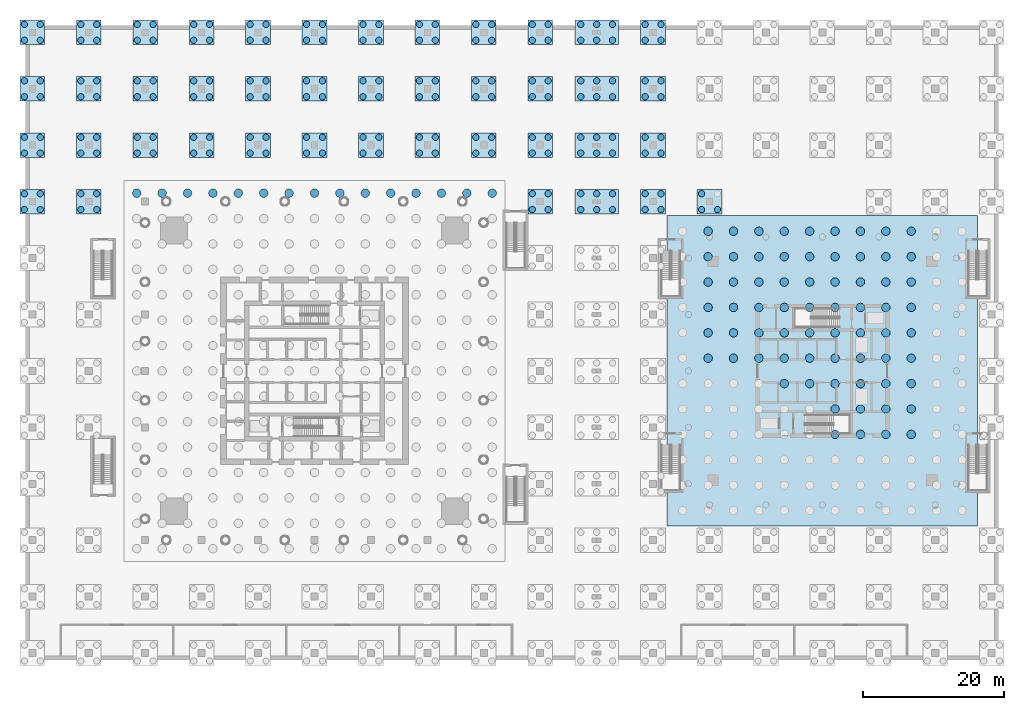
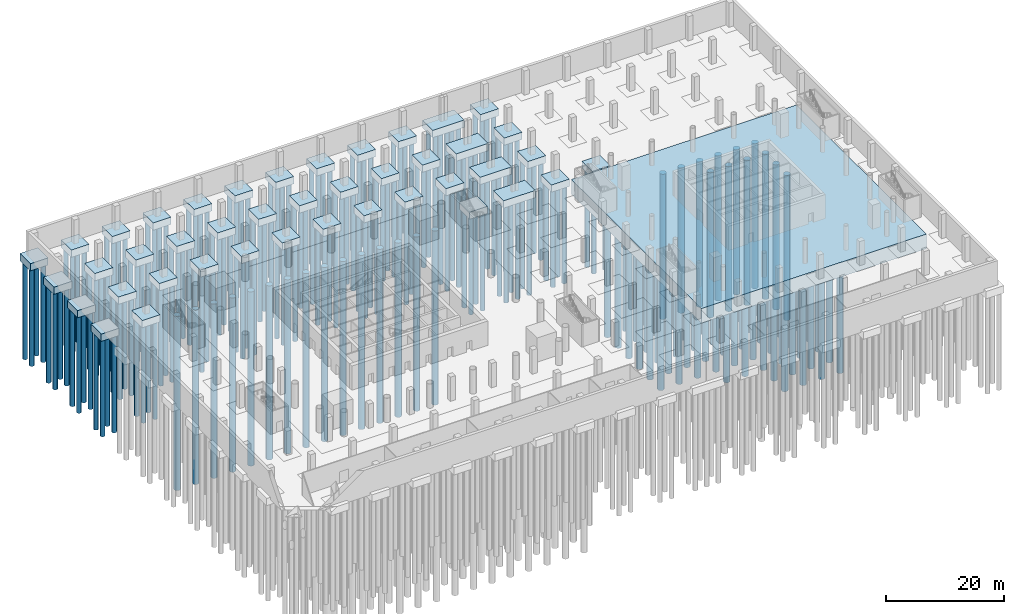
# One storey, part 3 of 24: 258 piles, 43 footings.
"""IFC4 building model written with IfcOpenShell, lengths in metres."""

import ifcopenshell
import ifcopenshell.guid

model = None  # the IFC model being written
_history = None  # IfcOwnerHistory: only IFC2X3 demands one
_inside = {}  # id of a spatial element -> (the spatial element, [elements in it])
_under = {}  # id of a project, library or spatial element -> (it, [spatial elements below it])
_declared = {}  # id of a project -> (the project, [libraries it declares])
_typed = {}  # id of a type object -> (the type object, [elements of that type])
_made_of = {}  # id of a material, layer set ... -> (it, [elements and type objects made of it])


def new_model(schema):
    """Start an empty IFC model of exactly this schema.

    Asked for "IFC4X3", IfcOpenShell would pick the latest addendum, in which some entities
    have other attributes; the version numbers below select the first issue.
    IFC2X3 requires an IfcOwnerHistory on every rooted entity: one is made here for all.
    """
    global model, _history
    if schema == "IFC4X3":
        model = ifcopenshell.file(schema_version=(4, 3, 0, 0))
    else:
        model = ifcopenshell.file(schema=schema)
    _inside.clear()
    _under.clear()
    _declared.clear()
    _typed.clear()
    _made_of.clear()
    _history = None
    if model.schema == "IFC2X3":
        org = make("IfcOrganization", Name="unknown")
        user = make(
            "IfcPersonAndOrganization",
            ThePerson=make("IfcPerson", FamilyName="unknown"),
            TheOrganization=org,
        )
        app = make(
            "IfcApplication",
            ApplicationDeveloper=org,
            Version="unknown",
            ApplicationFullName="unknown",
            ApplicationIdentifier="unknown",
        )
        _history = make(
            "IfcOwnerHistory",
            OwningUser=user,
            OwningApplication=app,
            ChangeAction="ADDED",
            CreationDate=0,
        )
    return model


def make(cls, **values):
    """One entity of the class cls with the attributes given. An attribute that is None is left unset."""
    return model.create_entity(
        cls, **{name: value for name, value in values.items() if value is not None}
    )


def rooted(cls, **values):
    """An entity with a GlobalId (a new one), such as an element, a storey or a relation."""
    return make(cls, GlobalId=ifcopenshell.guid.new(), OwnerHistory=_history, **values)


def si_unit(unit_type, name, prefix=None):
    """IfcSIUnit, for example si_unit("LENGTHUNIT", "METRE", prefix="MILLI")."""
    return make("IfcSIUnit", UnitType=unit_type, Prefix=prefix, Name=name)


def assignment(units):
    """IfcUnitAssignment: the units of a project."""
    return None if units is None else make("IfcUnitAssignment", Units=units)


def point(xyz):
    """IfcCartesianPoint."""
    return None if xyz is None else make("IfcCartesianPoint", Coordinates=xyz)


def direction(xyz):
    """IfcDirection."""
    return None if xyz is None else make("IfcDirection", DirectionRatios=xyz)


def frame(location, z_axis=None, x_axis=None):
    """IfcAxis2Placement3D, a coordinate frame: its origin and axes. An axis left out is left unset."""
    return make(
        "IfcAxis2Placement3D",
        Location=point(location),
        Axis=direction(z_axis),
        RefDirection=direction(x_axis),
    )


def frame_2d(location, x_axis=None):
    """IfcAxis2Placement2D, a coordinate frame in the plane: its origin and x axis."""
    return make(
        "IfcAxis2Placement2D", Location=point(location), RefDirection=direction(x_axis)
    )


def origin():
    """The frame at (0, 0, 0) with its axes left unset."""
    return frame((0.0, 0.0, 0.0))


def origin_2d():
    """The frame at (0, 0) in the plane with its x axis left unset."""
    return frame_2d((0.0, 0.0))


def place(relative_to, where):
    """IfcLocalPlacement: puts the frame where relative to a parent placement (None: the world)."""
    return make(
        "IfcLocalPlacement", PlacementRelTo=relative_to, RelativePlacement=where
    )


def context(
    kind, dimensions, precision=None, world=None, true_north=None, identifier=None
):
    """IfcGeometricRepresentationContext, for example the 3D "Model" context."""
    return make(
        "IfcGeometricRepresentationContext",
        ContextIdentifier=identifier,
        ContextType=kind,
        CoordinateSpaceDimension=dimensions,
        Precision=precision,
        WorldCoordinateSystem=world,
        TrueNorth=true_north,
    )


def subcontext(parent, identifier, kind, view, scale=None):
    """IfcGeometricRepresentationSubContext, for example "Body" below "Model"."""
    return make(
        "IfcGeometricRepresentationSubContext",
        ContextIdentifier=identifier,
        ContextType=kind,
        ParentContext=parent,
        TargetScale=scale,
        TargetView=view,
    )


def project(units=None, contexts=None):
    """IfcProject with its units and contexts."""
    return rooted(
        "IfcProject",
        Name="project",
        RepresentationContexts=contexts,
        UnitsInContext=assignment(units),
    )


def spatial(cls, under=None, at=None, **own):
    """A site, building, storey or space (cls), placed at a placement, below another one or the project."""
    s = rooted(cls, ObjectPlacement=at, **own)
    if under is not None:
        _under.setdefault(under.id(), (under, []))[1].append(s)
    return s


def polyline(points):
    """IfcPolyline through the points."""
    return make("IfcPolyline", Points=[point(p) for p in points])


def profile(cls, at=None, kind="AREA", **sizes):
    """A parametric profile (cls). Its sizes go by their IFC names, for example OverallWidth=200.0."""
    return make(cls, ProfileType=kind, Position=at, **sizes)


def rectangle(**sizes):
    """IfcRectangleProfileDef."""
    return profile("IfcRectangleProfileDef", **sizes)


def circle(**sizes):
    """IfcCircleProfileDef."""
    return profile("IfcCircleProfileDef", **sizes)


def outline(outer, holes=None, kind="AREA"):
    """IfcArbitraryClosedProfileDef: a profile drawn as a closed curve; with holes, ...WithVoids."""
    if holes is None:
        return make("IfcArbitraryClosedProfileDef", ProfileType=kind, OuterCurve=outer)
    return make(
        "IfcArbitraryProfileDefWithVoids",
        ProfileType=kind,
        OuterCurve=outer,
        InnerCurves=holes,
    )


def extrude(swept, where, along, depth):
    """IfcExtrudedAreaSolid: the profile swept, set in the frame where, extruded along a direction by depth."""
    return make(
        "IfcExtrudedAreaSolid",
        SweptArea=swept,
        Position=where,
        ExtrudedDirection=direction(along),
        Depth=depth,
    )


def shape(context_of_items, identifier, shape_type, items):
    """IfcShapeRepresentation: the items that make up one representation, for example the "Body"."""
    return make(
        "IfcShapeRepresentation",
        ContextOfItems=context_of_items,
        RepresentationIdentifier=identifier,
        RepresentationType=shape_type,
        Items=items,
    )


def material(Name=None, Category=None):
    """IfcMaterial."""
    return make("IfcMaterial", Name=Name, Category=Category)


def layer(
    of_material, thickness, ventilated=None, Name=None, Category=None, Priority=None
):
    """IfcMaterialLayer: one layer of a wall or slab, of a material (None: an air gap)."""
    return make(
        "IfcMaterialLayer",
        Material=of_material,
        LayerThickness=thickness,
        IsVentilated=ventilated,
        Name=Name,
        Category=Category,
        Priority=Priority,
    )


def layer_set(layers, Name=None):
    """IfcMaterialLayerSet."""
    return make("IfcMaterialLayerSet", MaterialLayers=layers, LayerSetName=Name)


def made_of(thing, what):
    """Note that an element or type object is made of a material, layer set ...; save() writes the relation."""
    if what is not None:
        _made_of.setdefault(what.id(), (what, []))[1].append(thing)
    return thing


def type_object(cls, material=None, **own):
    """A type object (cls), such as IfcWallType, which elements share."""
    return made_of(rooted(cls, **own), material)


def element(
    cls,
    number,
    at=None,
    inside=None,
    cuts=None,
    type_object=None,
    material=None,
    context=None,
    identifier="Body",
    shape_type=None,
    held_by="IfcProductDefinitionShape",
    body=None,
    shapes=None,
    **own,
):
    """One element of the class cls, such as IfcWall. Its Tag is "e" and its number.

    at: its placement. inside: the storey or other place that contains it. cuts: it is an
    opening in that element (IfcRelVoidsElement). A single representation is given by context,
    identifier, shape_type and body (its items); several are given by shapes. held_by: the class
    of the entity that holds the representations. save() writes the other relations.
    """
    e = rooted(cls, Tag="e%d" % number, ObjectPlacement=at, **own)
    if body is not None:
        shapes = [shape(context, identifier, shape_type, body)]
    if shapes is not None:
        e.Representation = make(held_by, Representations=shapes)
    if inside is not None:
        _inside.setdefault(inside.id(), (inside, []))[1].append(e)
    if cuts is not None:
        rooted(
            "IfcRelVoidsElement", RelatingBuildingElement=cuts, RelatedOpeningElement=e
        )
    if type_object is not None:
        _typed.setdefault(type_object.id(), (type_object, []))[1].append(e)
    return made_of(e, material)


def aggregate(whole, parts):
    """IfcRelAggregates: a whole, such as a stair, and the parts it consists of."""
    return rooted("IfcRelAggregates", RelatingObject=whole, RelatedObjects=parts)


def save(model, path):
    """Write the relations noted so far, then the file.

    IfcRelAggregates (storeys below a building ...), IfcRelContainedInSpatialStructure (elements
    in a storey), IfcRelDefinesByType, IfcRelAssociatesMaterial and IfcRelDeclares: one each for
    every whole, place, type object, material and project.
    """
    for whole, parts in _under.values():
        aggregate(whole, parts)
    for where, things in _inside.values():
        rooted(
            "IfcRelContainedInSpatialStructure",
            RelatedElements=things,
            RelatingStructure=where,
        )
    for kind, things in _typed.values():
        rooted("IfcRelDefinesByType", RelatedObjects=things, RelatingType=kind)
    for what, things in _made_of.values():
        rooted("IfcRelAssociatesMaterial", RelatedObjects=things, RelatingMaterial=what)
    for by, libraries in _declared.values():
        rooted("IfcRelDeclares", RelatingContext=by, RelatedDefinitions=libraries)
    model.write(path)


model = new_model("IFC4")

# Units and contexts
model_context = context("Model", 3, precision=1e-05, world=origin(), true_north=direction((0.0, 1.0)))
body_context = subcontext(model_context, "Body", "Model", "MODEL_VIEW")
ifc_project = project(units=[si_unit("LENGTHUNIT", "METRE"), si_unit("AREAUNIT", "SQUARE_METRE"), si_unit("VOLUMEUNIT", "CUBIC_METRE"), si_unit("PLANEANGLEUNIT", "RADIAN"), si_unit("MASSUNIT", "GRAM", prefix="KILO")], contexts=[model_context])

# Site, building, storey
site_placement = place(None, origin())
site = spatial("IfcSite", under=ifc_project, at=site_placement, CompositionType="ELEMENT")
building_placement = place(site_placement, origin())
building = spatial("IfcBuilding", under=site, at=building_placement, Name="Ostroluk Exchange", CompositionType="ELEMENT")
storey_placement = place(building_placement, frame((0.0, 0.0, -10.0)))
storey = spatial("IfcBuildingStorey", under=building, at=storey_placement, Name="B2", CompositionType="ELEMENT", Elevation=-10.0)

# Piles
ifc_material_1 = material(Name="Concrete C30/37", Category="concrete")
pile_type_1 = type_object("IfcPileType", Name="Bored pile 1200 x 30 m", PredefinedType="BORED", material=ifc_material_1)
for number, where, z_axis, x_axis, name in (
    (1, (100.800048828125, 47.800048828125, -3.0), (0.0, 0.0, -1.0), (1.0, 0.0, 0.0), "Hotel tower raft pile 2.7"),
    (2, (100.800048828125, 51.39990234375, -3.0), (0.0, 0.0, -1.0), (1.0, 0.0, 0.0), "Hotel tower raft pile 2.8"),
    (3, (100.800048828125, 55.0, -3.0), (0.0, 0.0, -1.0), (1.0, 0.0, 0.0), "Hotel tower raft pile 2.9"),
    (4, (100.800048828125, 58.60009765625, -3.0), (0.0, 0.0, -1.0), (1.0, 0.0, 0.0), "Hotel tower raft pile 2.10"),
    (5, (100.800048828125, 62.199951171875, -3.0), (0.0, 0.0, -1.0), (1.0, 0.0, 0.0), "Hotel tower raft pile 2.11"),
    (6, (100.800048828125, 65.800048828125, -3.0), (0.0, 0.0, -1.0), (1.0, 0.0, 0.0), "Hotel tower raft pile 2.12"),
    (7, (104.39990234375, 47.800048828125, -3.0), (0.0, 0.0, -1.0), (1.0, 0.0, 0.0), "Hotel tower raft pile 3.7"),
    (8, (104.39990234375, 51.39990234375, -3.0), (0.0, 0.0, -1.0), (1.0, 0.0, 0.0), "Hotel tower raft pile 3.8"),
    (9, (104.39990234375, 55.0, -3.0), (0.0, 0.0, -1.0), (1.0, 0.0, 0.0), "Hotel tower raft pile 3.9"),
    (10, (104.39990234375, 58.60009765625, -3.0), (0.0, 0.0, -1.0), (1.0, 0.0, 0.0), "Hotel tower raft pile 3.10"),
    (11, (104.39990234375, 62.199951171875, -3.0), (0.0, 0.0, -1.0), (1.0, 0.0, 0.0), "Hotel tower raft pile 3.11"),
    (12, (104.39990234375, 65.800048828125, -3.0), (0.0, 0.0, -1.0), (1.0, 0.0, 0.0), "Hotel tower raft pile 3.12"),
    (13, (108.0, 47.800048828125, -3.0), (0.0, 0.0, -1.0), (1.0, 0.0, 0.0), "Hotel tower raft pile 4.7"),
    (14, (108.0, 51.39990234375, -3.0), (0.0, 0.0, -1.0), (1.0, 0.0, 0.0), "Hotel tower raft pile 4.8"),
    (15, (108.0, 55.0, -3.0), (0.0, 0.0, -1.0), (1.0, 0.0, 0.0), "Hotel tower raft pile 4.9"),
    (16, (108.0, 58.60009765625, -3.0), (0.0, 0.0, -1.0), (1.0, 0.0, 0.0), "Hotel tower raft pile 4.10"),
    (17, (108.0, 62.199951171875, -3.0), (0.0, 0.0, -1.0), (1.0, 0.0, 0.0), "Hotel tower raft pile 4.11"),
    (18, (108.0, 65.800048828125, -3.0), (0.0, 0.0, -1.0), (1.0, 0.0, 0.0), "Hotel tower raft pile 4.12"),
    (19, (111.60009765625, 44.199951171875, -3.0), (0.0, 0.0, -1.0), (1.0, 0.0, 0.0), "Hotel tower raft pile 5.6"),
    (20, (111.60009765625, 47.800048828125, -3.0), (0.0, 0.0, -1.0), (1.0, 0.0, 0.0), "Hotel tower raft pile 5.7"),
    (21, (111.60009765625, 51.39990234375, -3.0), (0.0, 0.0, -1.0), (1.0, 0.0, 0.0), "Hotel tower raft pile 5.8"),
    (22, (111.60009765625, 55.0, -3.0), (0.0, 0.0, -1.0), (1.0, 0.0, 0.0), "Hotel tower raft pile 5.9"),
    (23, (111.60009765625, 58.60009765625, -3.0), (0.0, 0.0, -1.0), (1.0, 0.0, 0.0), "Hotel tower raft pile 5.10"),
    (24, (111.60009765625, 62.199951171875, -3.0), (0.0, 0.0, -1.0), (1.0, 0.0, 0.0), "Hotel tower raft pile 5.11"),
    (25, (111.60009765625, 65.800048828125, -3.0), (0.0, 0.0, -1.0), (1.0, 0.0, 0.0), "Hotel tower raft pile 5.12"),
    (26, (115.199951171875, 44.199951171875, -3.0), (0.0, 0.0, -1.0), (1.0, 0.0, 0.0), "Hotel tower raft pile 6.6"),
    (27, (115.199951171875, 47.800048828125, -3.0), (0.0, 0.0, -1.0), (1.0, 0.0, 0.0), "Hotel tower raft pile 6.7"),
    (28, (115.199951171875, 51.39990234375, -3.0), (0.0, 0.0, -1.0), (1.0, 0.0, 0.0), "Hotel tower raft pile 6.8"),
    (29, (115.199951171875, 55.0, -3.0), (0.0, 0.0, -1.0), (1.0, 0.0, 0.0), "Hotel tower raft pile 6.9"),
    (30, (115.199951171875, 58.60009765625, -3.0), (0.0, 0.0, -1.0), (1.0, 0.0, 0.0), "Hotel tower raft pile 6.10"),
    (31, (115.199951171875, 62.199951171875, -3.0), (0.0, 0.0, -1.0), (1.0, 0.0, 0.0), "Hotel tower raft pile 6.11"),
    (32, (115.199951171875, 65.800048828125, -3.0), (0.0, 0.0, -1.0), (1.0, 0.0, 0.0), "Hotel tower raft pile 6.12"),
    (33, (118.800048828125, 37.0, -3.0), (0.0, 0.0, -1.0), (1.0, 0.0, 0.0), "Hotel tower raft pile 7.4"),
    (34, (118.800048828125, 40.60009765625, -3.0), (0.0, 0.0, -1.0), (1.0, 0.0, 0.0), "Hotel tower raft pile 7.5"),
    (35, (118.800048828125, 44.199951171875, -3.0), (0.0, 0.0, -1.0), (1.0, 0.0, 0.0), "Hotel tower raft pile 7.6"),
    (36, (118.800048828125, 47.800048828125, -3.0), (0.0, 0.0, -1.0), (1.0, 0.0, 0.0), "Hotel tower raft pile 7.7"),
    (37, (118.800048828125, 51.39990234375, -3.0), (0.0, 0.0, -1.0), (1.0, 0.0, 0.0), "Hotel tower raft pile 7.8"),
    (38, (118.800048828125, 55.0, -3.0), (0.0, 0.0, -1.0), (1.0, 0.0, 0.0), "Hotel tower raft pile 7.9"),
    (39, (118.800048828125, 58.60009765625, -3.0), (0.0, 0.0, -1.0), (1.0, 0.0, 0.0), "Hotel tower raft pile 7.10"),
    (40, (118.800048828125, 62.199951171875, -3.0), (0.0, 0.0, -1.0), (1.0, 0.0, 0.0), "Hotel tower raft pile 7.11"),
    (41, (118.800048828125, 65.800048828125, -3.0), (0.0, 0.0, -1.0), (1.0, 0.0, 0.0), "Hotel tower raft pile 7.12"),
    (42, (122.39990234375, 37.0, -3.0), (0.0, 0.0, -1.0), (1.0, 0.0, 0.0), "Hotel tower raft pile 8.4"),
    (43, (122.39990234375, 40.60009765625, -3.0), (0.0, 0.0, -1.0), (1.0, 0.0, 0.0), "Hotel tower raft pile 8.5"),
    (44, (122.39990234375, 44.199951171875, -3.0), (0.0, 0.0, -1.0), (1.0, 0.0, 0.0), "Hotel tower raft pile 8.6"),
    (45, (122.39990234375, 47.800048828125, -3.0), (0.0, 0.0, -1.0), (1.0, 0.0, 0.0), "Hotel tower raft pile 8.7"),
    (46, (122.39990234375, 51.39990234375, -3.0), (0.0, 0.0, -1.0), (1.0, 0.0, 0.0), "Hotel tower raft pile 8.8"),
    (47, (122.39990234375, 55.0, -3.0), (0.0, 0.0, -1.0), (1.0, 0.0, 0.0), "Hotel tower raft pile 8.9"),
    (48, (122.39990234375, 58.60009765625, -3.0), (0.0, 0.0, -1.0), (1.0, 0.0, 0.0), "Hotel tower raft pile 8.10"),
    (49, (122.39990234375, 62.199951171875, -3.0), (0.0, 0.0, -1.0), (1.0, 0.0, 0.0), "Hotel tower raft pile 8.11"),
    (50, (122.39990234375, 65.800048828125, -3.0), (0.0, 0.0, -1.0), (1.0, 0.0, 0.0), "Hotel tower raft pile 8.12"),
    (51, (126.0, 37.0, -3.0), (0.0, 0.0, -1.0), (1.0, 0.0, 0.0), "Hotel tower raft pile 9.4"),
    (52, (126.0, 40.60009765625, -3.0), (0.0, 0.0, -1.0), (1.0, 0.0, 0.0), "Hotel tower raft pile 9.5"),
    (53, (126.0, 44.199951171875, -3.0), (0.0, 0.0, -1.0), (1.0, 0.0, 0.0), "Hotel tower raft pile 9.6"),
    (54, (126.0, 47.800048828125, -3.0), (0.0, 0.0, -1.0), (1.0, 0.0, 0.0), "Hotel tower raft pile 9.7"),
    (55, (126.0, 51.39990234375, -3.0), (0.0, 0.0, -1.0), (1.0, 0.0, 0.0), "Hotel tower raft pile 9.8"),
    (56, (126.0, 55.0, -3.0), (0.0, 0.0, -1.0), (1.0, 0.0, 0.0), "Hotel tower raft pile 9.9"),
    (57, (126.0, 58.60009765625, -3.0), (0.0, 0.0, -1.0), (1.0, 0.0, 0.0), "Hotel tower raft pile 9.10"),
    (58, (126.0, 62.199951171875, -3.0), (0.0, 0.0, -1.0), (1.0, 0.0, 0.0), "Hotel tower raft pile 9.11"),
    (59, (126.0, 65.800048828125, -3.0), (0.0, 0.0, -1.0), (1.0, 0.0, 0.0), "Hotel tower raft pile 9.12"),
    (60, (129.60009765625, 37.0, -3.0), (0.0, 0.0, -1.0), (1.0, 0.0, 0.0), "Hotel tower raft pile 10.4"),
    (61, (129.60009765625, 40.60009765625, -3.0), (0.0, 0.0, -1.0), (1.0, 0.0, 0.0), "Hotel tower raft pile 10.5"),
    (62, (129.60009765625, 44.199951171875, -3.0), (0.0, 0.0, -1.0), (1.0, 0.0, 0.0), "Hotel tower raft pile 10.6"),
    (63, (129.60009765625, 47.800048828125, -3.0), (0.0, 0.0, -1.0), (1.0, 0.0, 0.0), "Hotel tower raft pile 10.7"),
    (64, (129.60009765625, 51.39990234375, -3.0), (0.0, 0.0, -1.0), (1.0, 0.0, 0.0), "Hotel tower raft pile 10.8"),
    (65, (129.60009765625, 55.0, -3.0), (0.0, 0.0, -1.0), (1.0, 0.0, 0.0), "Hotel tower raft pile 10.9"),
    (66, (129.60009765625, 58.60009765625, -3.0), (0.0, 0.0, -1.0), (1.0, 0.0, 0.0), "Hotel tower raft pile 10.10"),
    (67, (129.60009765625, 62.199951171875, -3.0), (0.0, 0.0, -1.0), (1.0, 0.0, 0.0), "Hotel tower raft pile 10.11"),
    (68, (129.60009765625, 65.800048828125, -3.0), (0.0, 0.0, -1.0), (1.0, 0.0, 0.0), "Hotel tower raft pile 10.12"),
):
    element("IfcPile", number, at=place(storey_placement, frame(where, z_axis=z_axis, x_axis=x_axis)), inside=storey, type_object=pile_type_1, Name=name, PredefinedType="BORED", context=body_context, shape_type="SweptSolid", body=[
        extrude(circle(Radius=0.60009765625, at=origin_2d()), origin(), (0.0, 0.0, 1.0), 30.0),
    ])
ifc_material_2 = material(Name="Concrete C30/37", Category="concrete")
pile_type_2 = type_object("IfcPileType", Name="Bored pile 1200 x 36 m", PredefinedType="BORED", material=ifc_material_2)
for number, where, z_axis, x_axis, name in (
    (69, (19.800048828125, 71.199951171875, -3.5), (0.0, 0.0, -1.0), (1.0, 0.0, 0.0), "Office tower raft pile 1.15"),
    (70, (23.39990234375, 71.199951171875, -3.5), (0.0, 0.0, -1.0), (1.0, 0.0, 0.0), "Office tower raft pile 2.15"),
    (71, (27.0, 71.199951171875, -3.5), (0.0, 0.0, -1.0), (1.0, 0.0, 0.0), "Office tower raft pile 3.15"),
    (72, (30.60009765625, 71.199951171875, -3.5), (0.0, 0.0, -1.0), (1.0, 0.0, 0.0), "Office tower raft pile 4.15"),
    (73, (34.199951171875, 71.199951171875, -3.5), (0.0, 0.0, -1.0), (1.0, 0.0, 0.0), "Office tower raft pile 5.15"),
    (74, (37.800048828125, 71.199951171875, -3.5), (0.0, 0.0, -1.0), (1.0, 0.0, 0.0), "Office tower raft pile 6.15"),
    (75, (41.39990234375, 71.199951171875, -3.5), (0.0, 0.0, -1.0), (1.0, 0.0, 0.0), "Office tower raft pile 7.15"),
    (76, (45.0, 71.199951171875, -3.5), (0.0, 0.0, -1.0), (1.0, 0.0, 0.0), "Office tower raft pile 8.15"),
    (77, (48.60009765625, 71.199951171875, -3.5), (0.0, 0.0, -1.0), (1.0, 0.0, 0.0), "Office tower raft pile 9.15"),
    (78, (52.199951171875, 71.199951171875, -3.5), (0.0, 0.0, -1.0), (1.0, 0.0, 0.0), "Office tower raft pile 10.15"),
    (79, (55.800048828125, 71.199951171875, -3.5), (0.0, 0.0, -1.0), (1.0, 0.0, 0.0), "Office tower raft pile 11.15"),
    (80, (59.39990234375, 71.199951171875, -3.5), (0.0, 0.0, -1.0), (1.0, 0.0, 0.0), "Office tower raft pile 12.15"),
    (81, (63.0, 71.199951171875, -3.5), (0.0, 0.0, -1.0), (1.0, 0.0, 0.0), "Office tower raft pile 13.15"),
    (82, (66.60009765625, 71.199951171875, -3.5), (0.0, 0.0, -1.0), (1.0, 0.0, 0.0), "Office tower raft pile 14.15"),
    (83, (70.199951171875, 71.199951171875, -3.5), (0.0, 0.0, -1.0), (1.0, 0.0, 0.0), "Office tower raft pile 15.15"),
):
    element("IfcPile", number, at=place(storey_placement, frame(where, z_axis=z_axis, x_axis=x_axis)), inside=storey, type_object=pile_type_2, Name=name, PredefinedType="BORED", context=body_context, shape_type="SweptSolid", body=[
        extrude(circle(Radius=0.60009765625, at=origin_2d()), origin(), (0.0, 0.0, 1.0), 36.0),
    ])
ifc_material_3 = material(Name="Concrete C30/37", Category="concrete")
pile_type_3 = type_object("IfcPileType", Name="Bored pile 900 x 20 m", PredefinedType="BORED", material=ifc_material_3)
for number, where, z_axis, x_axis, name in (
    (84, (3.875, 68.875, -1.5), (0.0, 0.0, -1.0), (1.0, 0.0, 0.0), "Pile 5/70 1"),
    (85, (6.125, 68.875, -1.5), (0.0, 0.0, -1.0), (1.0, 0.0, 0.0), "Pile 5/70 2"),
    (86, (6.125, 71.125, -1.5), (0.0, 0.0, -1.0), (1.0, 0.0, 0.0), "Pile 5/70 3"),
    (87, (3.875, 71.125, -1.5), (0.0, 0.0, -1.0), (1.0, 0.0, 0.0), "Pile 5/70 4"),
    (88, (3.875, 76.875, -1.5), (0.0, 0.0, -1.0), (1.0, 0.0, 0.0), "Pile 5/78 1"),
    (89, (6.125, 76.875, -1.5), (0.0, 0.0, -1.0), (1.0, 0.0, 0.0), "Pile 5/78 2"),
    (90, (6.125, 79.125, -1.5), (0.0, 0.0, -1.0), (1.0, 0.0, 0.0), "Pile 5/78 3"),
    (91, (3.875, 79.125, -1.5), (0.0, 0.0, -1.0), (1.0, 0.0, 0.0), "Pile 5/78 4"),
    (92, (3.875, 84.875, -1.5), (0.0, 0.0, -1.0), (1.0, 0.0, 0.0), "Pile 5/86 1"),
    (93, (6.125, 84.875, -1.5), (0.0, 0.0, -1.0), (1.0, 0.0, 0.0), "Pile 5/86 2"),
    (94, (6.125, 87.125, -1.5), (0.0, 0.0, -1.0), (1.0, 0.0, 0.0), "Pile 5/86 3"),
    (95, (3.875, 87.125, -1.5), (0.0, 0.0, -1.0), (1.0, 0.0, 0.0), "Pile 5/86 4"),
    (96, (3.875, 92.875, -1.5), (0.0, 0.0, -1.0), (1.0, 0.0, 0.0), "Pile 5/94 1"),
    (97, (6.125, 92.875, -1.5), (0.0, 0.0, -1.0), (1.0, 0.0, 0.0), "Pile 5/94 2"),
    (98, (6.125, 95.125, -1.5), (0.0, 0.0, -1.0), (1.0, 0.0, 0.0), "Pile 5/94 3"),
    (99, (3.875, 95.125, -1.5), (0.0, 0.0, -1.0), (1.0, 0.0, 0.0), "Pile 5/94 4"),
    (100, (11.875, 68.875, -1.5), (0.0, 0.0, -1.0), (1.0, 0.0, 0.0), "Pile 13/70 1"),
    (101, (14.125, 68.875, -1.5), (0.0, 0.0, -1.0), (1.0, 0.0, 0.0), "Pile 13/70 2"),
    (102, (14.125, 71.125, -1.5), (0.0, 0.0, -1.0), (1.0, 0.0, 0.0), "Pile 13/70 3"),
    (103, (11.875, 71.125, -1.5), (0.0, 0.0, -1.0), (1.0, 0.0, 0.0), "Pile 13/70 4"),
    (104, (11.875, 76.875, -1.5), (0.0, 0.0, -1.0), (1.0, 0.0, 0.0), "Pile 13/78 1"),
    (105, (14.125, 76.875, -1.5), (0.0, 0.0, -1.0), (1.0, 0.0, 0.0), "Pile 13/78 2"),
    (106, (14.125, 79.125, -1.5), (0.0, 0.0, -1.0), (1.0, 0.0, 0.0), "Pile 13/78 3"),
    (107, (11.875, 79.125, -1.5), (0.0, 0.0, -1.0), (1.0, 0.0, 0.0), "Pile 13/78 4"),
    (108, (11.875, 84.875, -1.5), (0.0, 0.0, -1.0), (1.0, 0.0, 0.0), "Pile 13/86 1"),
    (109, (14.125, 84.875, -1.5), (0.0, 0.0, -1.0), (1.0, 0.0, 0.0), "Pile 13/86 2"),
    (110, (14.125, 87.125, -1.5), (0.0, 0.0, -1.0), (1.0, 0.0, 0.0), "Pile 13/86 3"),
    (111, (11.875, 87.125, -1.5), (0.0, 0.0, -1.0), (1.0, 0.0, 0.0), "Pile 13/86 4"),
    (112, (11.875, 92.875, -1.5), (0.0, 0.0, -1.0), (1.0, 0.0, 0.0), "Pile 13/94 1"),
    (113, (14.125, 92.875, -1.5), (0.0, 0.0, -1.0), (1.0, 0.0, 0.0), "Pile 13/94 2"),
    (114, (14.125, 95.125, -1.5), (0.0, 0.0, -1.0), (1.0, 0.0, 0.0), "Pile 13/94 3"),
    (115, (11.875, 95.125, -1.5), (0.0, 0.0, -1.0), (1.0, 0.0, 0.0), "Pile 13/94 4"),
    (116, (19.875, 76.875, -1.5), (0.0, 0.0, -1.0), (1.0, 0.0, 0.0), "Pile 21/78 1"),
    (117, (22.125, 76.875, -1.5), (0.0, 0.0, -1.0), (1.0, 0.0, 0.0), "Pile 21/78 2"),
    (118, (22.125, 79.125, -1.5), (0.0, 0.0, -1.0), (1.0, 0.0, 0.0), "Pile 21/78 3"),
    (119, (19.875, 79.125, -1.5), (0.0, 0.0, -1.0), (1.0, 0.0, 0.0), "Pile 21/78 4"),
    (120, (19.875, 84.875, -1.5), (0.0, 0.0, -1.0), (1.0, 0.0, 0.0), "Pile 21/86 1"),
    (121, (22.125, 84.875, -1.5), (0.0, 0.0, -1.0), (1.0, 0.0, 0.0), "Pile 21/86 2"),
    (122, (22.125, 87.125, -1.5), (0.0, 0.0, -1.0), (1.0, 0.0, 0.0), "Pile 21/86 3"),
    (123, (19.875, 87.125, -1.5), (0.0, 0.0, -1.0), (1.0, 0.0, 0.0), "Pile 21/86 4"),
    (124, (19.875, 92.875, -1.5), (0.0, 0.0, -1.0), (1.0, 0.0, 0.0), "Pile 21/94 1"),
    (125, (22.125, 92.875, -1.5), (0.0, 0.0, -1.0), (1.0, 0.0, 0.0), "Pile 21/94 2"),
    (126, (22.125, 95.125, -1.5), (0.0, 0.0, -1.0), (1.0, 0.0, 0.0), "Pile 21/94 3"),
    (127, (19.875, 95.125, -1.5), (0.0, 0.0, -1.0), (1.0, 0.0, 0.0), "Pile 21/94 4"),
    (128, (27.875, 76.875, -1.5), (0.0, 0.0, -1.0), (1.0, 0.0, 0.0), "Pile 29/78 1"),
    (129, (30.125, 76.875, -1.5), (0.0, 0.0, -1.0), (1.0, 0.0, 0.0), "Pile 29/78 2"),
    (130, (30.125, 79.125, -1.5), (0.0, 0.0, -1.0), (1.0, 0.0, 0.0), "Pile 29/78 3"),
    (131, (27.875, 79.125, -1.5), (0.0, 0.0, -1.0), (1.0, 0.0, 0.0), "Pile 29/78 4"),
    (132, (27.875, 84.875, -1.5), (0.0, 0.0, -1.0), (1.0, 0.0, 0.0), "Pile 29/86 1"),
    (133, (30.125, 84.875, -1.5), (0.0, 0.0, -1.0), (1.0, 0.0, 0.0), "Pile 29/86 2"),
    (134, (30.125, 87.125, -1.5), (0.0, 0.0, -1.0), (1.0, 0.0, 0.0), "Pile 29/86 3"),
    (135, (27.875, 87.125, -1.5), (0.0, 0.0, -1.0), (1.0, 0.0, 0.0), "Pile 29/86 4"),
    (136, (27.875, 92.875, -1.5), (0.0, 0.0, -1.0), (1.0, 0.0, 0.0), "Pile 29/94 1"),
    (137, (30.125, 92.875, -1.5), (0.0, 0.0, -1.0), (1.0, 0.0, 0.0), "Pile 29/94 2"),
    (138, (30.125, 95.125, -1.5), (0.0, 0.0, -1.0), (1.0, 0.0, 0.0), "Pile 29/94 3"),
    (139, (27.875, 95.125, -1.5), (0.0, 0.0, -1.0), (1.0, 0.0, 0.0), "Pile 29/94 4"),
    (140, (35.875, 76.875, -1.5), (0.0, 0.0, -1.0), (1.0, 0.0, 0.0), "Pile 37/78 1"),
    (141, (38.125, 76.875, -1.5), (0.0, 0.0, -1.0), (1.0, 0.0, 0.0), "Pile 37/78 2"),
    (142, (38.125, 79.125, -1.5), (0.0, 0.0, -1.0), (1.0, 0.0, 0.0), "Pile 37/78 3"),
    (143, (35.875, 79.125, -1.5), (0.0, 0.0, -1.0), (1.0, 0.0, 0.0), "Pile 37/78 4"),
    (144, (35.875, 84.875, -1.5), (0.0, 0.0, -1.0), (1.0, 0.0, 0.0), "Pile 37/86 1"),
    (145, (38.125, 84.875, -1.5), (0.0, 0.0, -1.0), (1.0, 0.0, 0.0), "Pile 37/86 2"),
    (146, (38.125, 87.125, -1.5), (0.0, 0.0, -1.0), (1.0, 0.0, 0.0), "Pile 37/86 3"),
    (147, (35.875, 87.125, -1.5), (0.0, 0.0, -1.0), (1.0, 0.0, 0.0), "Pile 37/86 4"),
    (148, (35.875, 92.875, -1.5), (0.0, 0.0, -1.0), (1.0, 0.0, 0.0), "Pile 37/94 1"),
    (149, (38.125, 92.875, -1.5), (0.0, 0.0, -1.0), (1.0, 0.0, 0.0), "Pile 37/94 2"),
    (150, (38.125, 95.125, -1.5), (0.0, 0.0, -1.0), (1.0, 0.0, 0.0), "Pile 37/94 3"),
    (151, (35.875, 95.125, -1.5), (0.0, 0.0, -1.0), (1.0, 0.0, 0.0), "Pile 37/94 4"),
    (152, (43.875, 76.875, -1.5), (0.0, 0.0, -1.0), (1.0, 0.0, 0.0), "Pile 45/78 1"),
    (153, (46.125, 76.875, -1.5), (0.0, 0.0, -1.0), (1.0, 0.0, 0.0), "Pile 45/78 2"),
    (154, (46.125, 79.125, -1.5), (0.0, 0.0, -1.0), (1.0, 0.0, 0.0), "Pile 45/78 3"),
    (155, (43.875, 79.125, -1.5), (0.0, 0.0, -1.0), (1.0, 0.0, 0.0), "Pile 45/78 4"),
    (156, (43.875, 84.875, -1.5), (0.0, 0.0, -1.0), (1.0, 0.0, 0.0), "Pile 45/86 1"),
    (157, (46.125, 84.875, -1.5), (0.0, 0.0, -1.0), (1.0, 0.0, 0.0), "Pile 45/86 2"),
    (158, (46.125, 87.125, -1.5), (0.0, 0.0, -1.0), (1.0, 0.0, 0.0), "Pile 45/86 3"),
    (159, (43.875, 87.125, -1.5), (0.0, 0.0, -1.0), (1.0, 0.0, 0.0), "Pile 45/86 4"),
    (160, (43.875, 92.875, -1.5), (0.0, 0.0, -1.0), (1.0, 0.0, 0.0), "Pile 45/94 1"),
    (161, (46.125, 92.875, -1.5), (0.0, 0.0, -1.0), (1.0, 0.0, 0.0), "Pile 45/94 2"),
    (162, (46.125, 95.125, -1.5), (0.0, 0.0, -1.0), (1.0, 0.0, 0.0), "Pile 45/94 3"),
    (163, (43.875, 95.125, -1.5), (0.0, 0.0, -1.0), (1.0, 0.0, 0.0), "Pile 45/94 4"),
    (164, (51.875, 76.875, -1.5), (0.0, 0.0, -1.0), (1.0, 0.0, 0.0), "Pile 53/78 1"),
    (165, (54.125, 76.875, -1.5), (0.0, 0.0, -1.0), (1.0, 0.0, 0.0), "Pile 53/78 2"),
    (166, (54.125, 79.125, -1.5), (0.0, 0.0, -1.0), (1.0, 0.0, 0.0), "Pile 53/78 3"),
    (167, (51.875, 79.125, -1.5), (0.0, 0.0, -1.0), (1.0, 0.0, 0.0), "Pile 53/78 4"),
    (168, (51.875, 84.875, -1.5), (0.0, 0.0, -1.0), (1.0, 0.0, 0.0), "Pile 53/86 1"),
    (169, (54.125, 84.875, -1.5), (0.0, 0.0, -1.0), (1.0, 0.0, 0.0), "Pile 53/86 2"),
    (170, (54.125, 87.125, -1.5), (0.0, 0.0, -1.0), (1.0, 0.0, 0.0), "Pile 53/86 3"),
    (171, (51.875, 87.125, -1.5), (0.0, 0.0, -1.0), (1.0, 0.0, 0.0), "Pile 53/86 4"),
    (172, (51.875, 92.875, -1.5), (0.0, 0.0, -1.0), (1.0, 0.0, 0.0), "Pile 53/94 1"),
    (173, (54.125, 92.875, -1.5), (0.0, 0.0, -1.0), (1.0, 0.0, 0.0), "Pile 53/94 2"),
    (174, (54.125, 95.125, -1.5), (0.0, 0.0, -1.0), (1.0, 0.0, 0.0), "Pile 53/94 3"),
    (175, (51.875, 95.125, -1.5), (0.0, 0.0, -1.0), (1.0, 0.0, 0.0), "Pile 53/94 4"),
    (176, (59.875, 76.875, -1.5), (0.0, 0.0, -1.0), (1.0, 0.0, 0.0), "Pile 61/78 1"),
    (177, (62.125, 76.875, -1.5), (0.0, 0.0, -1.0), (1.0, 0.0, 0.0), "Pile 61/78 2"),
    (178, (62.125, 79.125, -1.5), (0.0, 0.0, -1.0), (1.0, 0.0, 0.0), "Pile 61/78 3"),
    (179, (59.875, 79.125, -1.5), (0.0, 0.0, -1.0), (1.0, 0.0, 0.0), "Pile 61/78 4"),
    (180, (59.875, 84.875, -1.5), (0.0, 0.0, -1.0), (1.0, 0.0, 0.0), "Pile 61/86 1"),
    (181, (62.125, 84.875, -1.5), (0.0, 0.0, -1.0), (1.0, 0.0, 0.0), "Pile 61/86 2"),
    (182, (62.125, 87.125, -1.5), (0.0, 0.0, -1.0), (1.0, 0.0, 0.0), "Pile 61/86 3"),
    (183, (59.875, 87.125, -1.5), (0.0, 0.0, -1.0), (1.0, 0.0, 0.0), "Pile 61/86 4"),
    (184, (59.875, 92.875, -1.5), (0.0, 0.0, -1.0), (1.0, 0.0, 0.0), "Pile 61/94 1"),
    (185, (62.125, 92.875, -1.5), (0.0, 0.0, -1.0), (1.0, 0.0, 0.0), "Pile 61/94 2"),
    (186, (62.125, 95.125, -1.5), (0.0, 0.0, -1.0), (1.0, 0.0, 0.0), "Pile 61/94 3"),
    (187, (59.875, 95.125, -1.5), (0.0, 0.0, -1.0), (1.0, 0.0, 0.0), "Pile 61/94 4"),
    (188, (67.875, 76.875, -1.5), (0.0, 0.0, -1.0), (1.0, 0.0, 0.0), "Pile 69/78 1"),
    (189, (70.125, 76.875, -1.5), (0.0, 0.0, -1.0), (1.0, 0.0, 0.0), "Pile 69/78 2"),
    (190, (70.125, 79.125, -1.5), (0.0, 0.0, -1.0), (1.0, 0.0, 0.0), "Pile 69/78 3"),
    (191, (67.875, 79.125, -1.5), (0.0, 0.0, -1.0), (1.0, 0.0, 0.0), "Pile 69/78 4"),
    (192, (67.875, 84.875, -1.5), (0.0, 0.0, -1.0), (1.0, 0.0, 0.0), "Pile 69/86 1"),
    (193, (70.125, 84.875, -1.5), (0.0, 0.0, -1.0), (1.0, 0.0, 0.0), "Pile 69/86 2"),
    (194, (70.125, 87.125, -1.5), (0.0, 0.0, -1.0), (1.0, 0.0, 0.0), "Pile 69/86 3"),
    (195, (67.875, 87.125, -1.5), (0.0, 0.0, -1.0), (1.0, 0.0, 0.0), "Pile 69/86 4"),
    (196, (67.875, 92.875, -1.5), (0.0, 0.0, -1.0), (1.0, 0.0, 0.0), "Pile 69/94 1"),
    (197, (70.125, 92.875, -1.5), (0.0, 0.0, -1.0), (1.0, 0.0, 0.0), "Pile 69/94 2"),
    (198, (70.125, 95.125, -1.5), (0.0, 0.0, -1.0), (1.0, 0.0, 0.0), "Pile 69/94 3"),
    (199, (67.875, 95.125, -1.5), (0.0, 0.0, -1.0), (1.0, 0.0, 0.0), "Pile 69/94 4"),
    (200, (75.875, 68.875, -1.5), (0.0, 0.0, -1.0), (1.0, 0.0, 0.0), "Pile 77/70 1"),
    (201, (78.125, 68.875, -1.5), (0.0, 0.0, -1.0), (1.0, 0.0, 0.0), "Pile 77/70 2"),
    (202, (78.125, 71.125, -1.5), (0.0, 0.0, -1.0), (1.0, 0.0, 0.0), "Pile 77/70 3"),
    (203, (75.875, 71.125, -1.5), (0.0, 0.0, -1.0), (1.0, 0.0, 0.0), "Pile 77/70 4"),
    (204, (75.875, 76.875, -1.5), (0.0, 0.0, -1.0), (1.0, 0.0, 0.0), "Pile 77/78 1"),
    (205, (78.125, 76.875, -1.5), (0.0, 0.0, -1.0), (1.0, 0.0, 0.0), "Pile 77/78 2"),
    (206, (78.125, 79.125, -1.5), (0.0, 0.0, -1.0), (1.0, 0.0, 0.0), "Pile 77/78 3"),
    (207, (75.875, 79.125, -1.5), (0.0, 0.0, -1.0), (1.0, 0.0, 0.0), "Pile 77/78 4"),
    (208, (75.875, 84.875, -1.5), (0.0, 0.0, -1.0), (1.0, 0.0, 0.0), "Pile 77/86 1"),
    (209, (78.125, 84.875, -1.5), (0.0, 0.0, -1.0), (1.0, 0.0, 0.0), "Pile 77/86 2"),
    (210, (78.125, 87.125, -1.5), (0.0, 0.0, -1.0), (1.0, 0.0, 0.0), "Pile 77/86 3"),
    (211, (75.875, 87.125, -1.5), (0.0, 0.0, -1.0), (1.0, 0.0, 0.0), "Pile 77/86 4"),
    (212, (75.875, 92.875, -1.5), (0.0, 0.0, -1.0), (1.0, 0.0, 0.0), "Pile 77/94 1"),
    (213, (78.125, 92.875, -1.5), (0.0, 0.0, -1.0), (1.0, 0.0, 0.0), "Pile 77/94 2"),
    (214, (78.125, 95.125, -1.5), (0.0, 0.0, -1.0), (1.0, 0.0, 0.0), "Pile 77/94 3"),
    (215, (75.875, 95.125, -1.5), (0.0, 0.0, -1.0), (1.0, 0.0, 0.0), "Pile 77/94 4"),
    (216, (82.75, 68.875, -1.5), (0.0, 0.0, -1.0), (1.0, 0.0, 0.0), "Pile 85/70 1"),
    (217, (85.0, 68.875, -1.5), (0.0, 0.0, -1.0), (1.0, 0.0, 0.0), "Pile 85/70 2"),
    (218, (87.25, 68.875, -1.5), (0.0, 0.0, -1.0), (1.0, 0.0, 0.0), "Pile 85/70 3"),
    (219, (82.75, 71.125, -1.5), (0.0, 0.0, -1.0), (1.0, 0.0, 0.0), "Pile 85/70 4"),
    (220, (85.0, 71.125, -1.5), (0.0, 0.0, -1.0), (1.0, 0.0, 0.0), "Pile 85/70 5"),
    (221, (87.25, 71.125, -1.5), (0.0, 0.0, -1.0), (1.0, 0.0, 0.0), "Pile 85/70 6"),
    (222, (82.75, 76.875, -1.5), (0.0, 0.0, -1.0), (1.0, 0.0, 0.0), "Pile 85/78 1"),
    (223, (85.0, 76.875, -1.5), (0.0, 0.0, -1.0), (1.0, 0.0, 0.0), "Pile 85/78 2"),
    (224, (87.25, 76.875, -1.5), (0.0, 0.0, -1.0), (1.0, 0.0, 0.0), "Pile 85/78 3"),
    (225, (82.75, 79.125, -1.5), (0.0, 0.0, -1.0), (1.0, 0.0, 0.0), "Pile 85/78 4"),
    (226, (85.0, 79.125, -1.5), (0.0, 0.0, -1.0), (1.0, 0.0, 0.0), "Pile 85/78 5"),
    (227, (87.25, 79.125, -1.5), (0.0, 0.0, -1.0), (1.0, 0.0, 0.0), "Pile 85/78 6"),
    (228, (82.75, 84.875, -1.5), (0.0, 0.0, -1.0), (1.0, 0.0, 0.0), "Pile 85/86 1"),
    (229, (85.0, 84.875, -1.5), (0.0, 0.0, -1.0), (1.0, 0.0, 0.0), "Pile 85/86 2"),
    (230, (87.25, 84.875, -1.5), (0.0, 0.0, -1.0), (1.0, 0.0, 0.0), "Pile 85/86 3"),
    (231, (82.75, 87.125, -1.5), (0.0, 0.0, -1.0), (1.0, 0.0, 0.0), "Pile 85/86 4"),
    (232, (85.0, 87.125, -1.5), (0.0, 0.0, -1.0), (1.0, 0.0, 0.0), "Pile 85/86 5"),
    (233, (87.25, 87.125, -1.5), (0.0, 0.0, -1.0), (1.0, 0.0, 0.0), "Pile 85/86 6"),
    (234, (82.75, 92.875, -1.5), (0.0, 0.0, -1.0), (1.0, 0.0, 0.0), "Pile 85/94 1"),
    (235, (85.0, 92.875, -1.5), (0.0, 0.0, -1.0), (1.0, 0.0, 0.0), "Pile 85/94 2"),
    (236, (87.25, 92.875, -1.5), (0.0, 0.0, -1.0), (1.0, 0.0, 0.0), "Pile 85/94 3"),
    (237, (82.75, 95.125, -1.5), (0.0, 0.0, -1.0), (1.0, 0.0, 0.0), "Pile 85/94 4"),
    (238, (85.0, 95.125, -1.5), (0.0, 0.0, -1.0), (1.0, 0.0, 0.0), "Pile 85/94 5"),
    (239, (87.25, 95.125, -1.5), (0.0, 0.0, -1.0), (1.0, 0.0, 0.0), "Pile 85/94 6"),
    (240, (91.875, 68.875, -1.5), (0.0, 0.0, -1.0), (1.0, 0.0, 0.0), "Pile 93/70 1"),
    (241, (94.125, 68.875, -1.5), (0.0, 0.0, -1.0), (1.0, 0.0, 0.0), "Pile 93/70 2"),
    (242, (94.125, 71.125, -1.5), (0.0, 0.0, -1.0), (1.0, 0.0, 0.0), "Pile 93/70 3"),
    (243, (91.875, 71.125, -1.5), (0.0, 0.0, -1.0), (1.0, 0.0, 0.0), "Pile 93/70 4"),
    (244, (91.875, 76.875, -1.5), (0.0, 0.0, -1.0), (1.0, 0.0, 0.0), "Pile 93/78 1"),
    (245, (94.125, 76.875, -1.5), (0.0, 0.0, -1.0), (1.0, 0.0, 0.0), "Pile 93/78 2"),
    (246, (94.125, 79.125, -1.5), (0.0, 0.0, -1.0), (1.0, 0.0, 0.0), "Pile 93/78 3"),
    (247, (91.875, 79.125, -1.5), (0.0, 0.0, -1.0), (1.0, 0.0, 0.0), "Pile 93/78 4"),
    (248, (91.875, 84.875, -1.5), (0.0, 0.0, -1.0), (1.0, 0.0, 0.0), "Pile 93/86 1"),
    (249, (94.125, 84.875, -1.5), (0.0, 0.0, -1.0), (1.0, 0.0, 0.0), "Pile 93/86 2"),
    (250, (94.125, 87.125, -1.5), (0.0, 0.0, -1.0), (1.0, 0.0, 0.0), "Pile 93/86 3"),
    (251, (91.875, 87.125, -1.5), (0.0, 0.0, -1.0), (1.0, 0.0, 0.0), "Pile 93/86 4"),
    (252, (91.875, 92.875, -1.5), (0.0, 0.0, -1.0), (1.0, 0.0, 0.0), "Pile 93/94 1"),
    (253, (94.125, 92.875, -1.5), (0.0, 0.0, -1.0), (1.0, 0.0, 0.0), "Pile 93/94 2"),
    (254, (94.125, 95.125, -1.5), (0.0, 0.0, -1.0), (1.0, 0.0, 0.0), "Pile 93/94 3"),
    (255, (91.875, 95.125, -1.5), (0.0, 0.0, -1.0), (1.0, 0.0, 0.0), "Pile 93/94 4"),
    (256, (99.875, 68.875, -1.5), (0.0, 0.0, -1.0), (1.0, 0.0, 0.0), "Pile 101/70 1"),
    (257, (102.125, 68.875, -1.5), (0.0, 0.0, -1.0), (1.0, 0.0, 0.0), "Pile 101/70 2"),
    (258, (99.875, 71.125, -1.5), (0.0, 0.0, -1.0), (1.0, 0.0, 0.0), "Pile 101/70 4"),
):
    element("IfcPile", number, at=place(storey_placement, frame(where, z_axis=z_axis, x_axis=x_axis)), inside=storey, type_object=pile_type_3, Name=name, PredefinedType="BORED", context=body_context, shape_type="SweptSolid", body=[
        extrude(circle(Radius=0.449951171875, at=origin_2d()), origin(), (0.0, 0.0, 1.0), 20.0),
    ])

# Footings
ifc_material_4 = material(Name="Concrete C40/50", Category="concrete")
ifc_layer_1 = layer(ifc_material_4, 1.5)
ifc_layer_set_1 = layer_set([ifc_layer_1], Name="Pile cap 3500 x 3500 x 1500")
footing_type_1 = type_object("IfcFootingType", Name="Pile cap 3500 x 3500 x 1500", PredefinedType="PILE_CAP", material=ifc_layer_set_1)
for number, where, z_axis, x_axis, name in (
    (259, (5.0, 70.0, -1.5), (0.0, 0.0, 1.0), (1.0, 0.0, 0.0), "Pile cap 5/70"),
    (260, (5.0, 78.0, -1.5), (0.0, 0.0, 1.0), (1.0, 0.0, 0.0), "Pile cap 5/78"),
    (261, (5.0, 86.0, -1.5), (0.0, 0.0, 1.0), (1.0, 0.0, 0.0), "Pile cap 5/86"),
    (262, (5.0, 94.0, -1.5), (0.0, 0.0, 1.0), (1.0, 0.0, 0.0), "Pile cap 5/94"),
    (263, (13.0, 70.0, -1.5), (0.0, 0.0, 1.0), (1.0, 0.0, 0.0), "Pile cap 13/70"),
    (264, (13.0, 78.0, -1.5), (0.0, 0.0, 1.0), (1.0, 0.0, 0.0), "Pile cap 13/78"),
    (265, (13.0, 86.0, -1.5), (0.0, 0.0, 1.0), (1.0, 0.0, 0.0), "Pile cap 13/86"),
    (266, (13.0, 94.0, -1.5), (0.0, 0.0, 1.0), (1.0, 0.0, 0.0), "Pile cap 13/94"),
    (267, (21.0, 78.0, -1.5), (0.0, 0.0, 1.0), (1.0, 0.0, 0.0), "Pile cap 21/78"),
    (268, (21.0, 86.0, -1.5), (0.0, 0.0, 1.0), (1.0, 0.0, 0.0), "Pile cap 21/86"),
    (269, (21.0, 94.0, -1.5), (0.0, 0.0, 1.0), (1.0, 0.0, 0.0), "Pile cap 21/94"),
    (270, (29.0, 78.0, -1.5), (0.0, 0.0, 1.0), (1.0, 0.0, 0.0), "Pile cap 29/78"),
    (271, (29.0, 86.0, -1.5), (0.0, 0.0, 1.0), (1.0, 0.0, 0.0), "Pile cap 29/86"),
    (272, (29.0, 94.0, -1.5), (0.0, 0.0, 1.0), (1.0, 0.0, 0.0), "Pile cap 29/94"),
    (273, (37.0, 78.0, -1.5), (0.0, 0.0, 1.0), (1.0, 0.0, 0.0), "Pile cap 37/78"),
    (274, (37.0, 86.0, -1.5), (0.0, 0.0, 1.0), (1.0, 0.0, 0.0), "Pile cap 37/86"),
    (275, (37.0, 94.0, -1.5), (0.0, 0.0, 1.0), (1.0, 0.0, 0.0), "Pile cap 37/94"),
    (276, (45.0, 78.0, -1.5), (0.0, 0.0, 1.0), (1.0, 0.0, 0.0), "Pile cap 45/78"),
    (277, (45.0, 86.0, -1.5), (0.0, 0.0, 1.0), (1.0, 0.0, 0.0), "Pile cap 45/86"),
    (278, (45.0, 94.0, -1.5), (0.0, 0.0, 1.0), (1.0, 0.0, 0.0), "Pile cap 45/94"),
    (279, (53.0, 78.0, -1.5), (0.0, 0.0, 1.0), (1.0, 0.0, 0.0), "Pile cap 53/78"),
    (280, (53.0, 86.0, -1.5), (0.0, 0.0, 1.0), (1.0, 0.0, 0.0), "Pile cap 53/86"),
    (281, (53.0, 94.0, -1.5), (0.0, 0.0, 1.0), (1.0, 0.0, 0.0), "Pile cap 53/94"),
    (282, (61.0, 78.0, -1.5), (0.0, 0.0, 1.0), (1.0, 0.0, 0.0), "Pile cap 61/78"),
    (283, (61.0, 86.0, -1.5), (0.0, 0.0, 1.0), (1.0, 0.0, 0.0), "Pile cap 61/86"),
    (284, (61.0, 94.0, -1.5), (0.0, 0.0, 1.0), (1.0, 0.0, 0.0), "Pile cap 61/94"),
    (285, (69.0, 78.0, -1.5), (0.0, 0.0, 1.0), (1.0, 0.0, 0.0), "Pile cap 69/78"),
    (286, (69.0, 86.0, -1.5), (0.0, 0.0, 1.0), (1.0, 0.0, 0.0), "Pile cap 69/86"),
    (287, (69.0, 94.0, -1.5), (0.0, 0.0, 1.0), (1.0, 0.0, 0.0), "Pile cap 69/94"),
    (288, (77.0, 70.0, -1.5), (0.0, 0.0, 1.0), (1.0, 0.0, 0.0), "Pile cap 77/70"),
    (289, (77.0, 78.0, -1.5), (0.0, 0.0, 1.0), (1.0, 0.0, 0.0), "Pile cap 77/78"),
    (290, (77.0, 86.0, -1.5), (0.0, 0.0, 1.0), (1.0, 0.0, 0.0), "Pile cap 77/86"),
    (291, (77.0, 94.0, -1.5), (0.0, 0.0, 1.0), (1.0, 0.0, 0.0), "Pile cap 77/94"),
    (292, (93.0, 70.0, -1.5), (0.0, 0.0, 1.0), (1.0, 0.0, 0.0), "Pile cap 93/70"),
    (293, (93.0, 78.0, -1.5), (0.0, 0.0, 1.0), (1.0, 0.0, 0.0), "Pile cap 93/78"),
    (294, (93.0, 86.0, -1.5), (0.0, 0.0, 1.0), (1.0, 0.0, 0.0), "Pile cap 93/86"),
    (295, (93.0, 94.0, -1.5), (0.0, 0.0, 1.0), (1.0, 0.0, 0.0), "Pile cap 93/94"),
    (296, (101.0, 70.0, -1.5), (0.0, 0.0, 1.0), (1.0, 0.0, 0.0), "Pile cap 101/70"),
):
    element("IfcFooting", number, at=place(storey_placement, frame(where, z_axis=z_axis, x_axis=x_axis)), inside=storey, type_object=footing_type_1, Name=name, PredefinedType="PILE_CAP", context=body_context, shape_type="SweptSolid", body=[
        extrude(rectangle(XDim=3.5, YDim=3.5, at=origin_2d()), origin(), (0.0, 0.0, 1.0), 1.5),
    ])
ifc_material_5 = material(Name="Concrete C40/50", Category="concrete")
ifc_layer_2 = layer(ifc_material_5, 1.5)
ifc_layer_set_2 = layer_set([ifc_layer_2], Name="Pile cap 6200 x 3500 x 1500")
footing_type_2 = type_object("IfcFootingType", Name="Pile cap 6200 x 3500 x 1500", PredefinedType="PILE_CAP", material=ifc_layer_set_2)
for number, where, z_axis, x_axis, name in (
    (297, (85.0, 70.0, -1.5), (0.0, 0.0, 1.0), (1.0, 0.0, 0.0), "Pile cap 85/70 (movement joint)"),
    (298, (85.0, 78.0, -1.5), (0.0, 0.0, 1.0), (1.0, 0.0, 0.0), "Pile cap 85/78 (movement joint)"),
    (299, (85.0, 86.0, -1.5), (0.0, 0.0, 1.0), (1.0, 0.0, 0.0), "Pile cap 85/86 (movement joint)"),
    (300, (85.0, 94.0, -1.5), (0.0, 0.0, 1.0), (1.0, 0.0, 0.0), "Pile cap 85/94 (movement joint)"),
):
    element("IfcFooting", number, at=place(storey_placement, frame(where, z_axis=z_axis, x_axis=x_axis)), inside=storey, type_object=footing_type_2, Name=name, PredefinedType="PILE_CAP", context=body_context, shape_type="SweptSolid", body=[
        extrude(rectangle(XDim=6.199951171875, YDim=3.5, at=origin_2d()), origin(), (0.0, 0.0, 1.0), 1.5),
    ])
ifc_material_6 = material(Name="Concrete C40/50", Category="concrete")
ifc_layer_3 = layer(ifc_material_6, 3.0)
ifc_layer_set_3 = layer_set([ifc_layer_3], Name="Piled raft 3000")
footing_type_3 = type_object("IfcFootingType", Name="Piled raft 3000", PredefinedType="PILE_CAP", material=ifc_layer_set_3)
footing_placement = place(storey_placement, frame((0.0, 0.0, -3.0)))
element("IfcFooting", 301, at=footing_placement, inside=storey, type_object=footing_type_3, Name="Hotel tower piled raft", PredefinedType="PILE_CAP", context=body_context, shape_type="SweptSolid", body=[
    extrude(outline(polyline([(95.0, 24.0), (139.0, 24.0), (139.0, 68.0), (95.0, 68.0), (95.0, 24.0)])), origin(), (0.0, 0.0, 1.0), 3.0),
])

save(model, "model.ifc")
